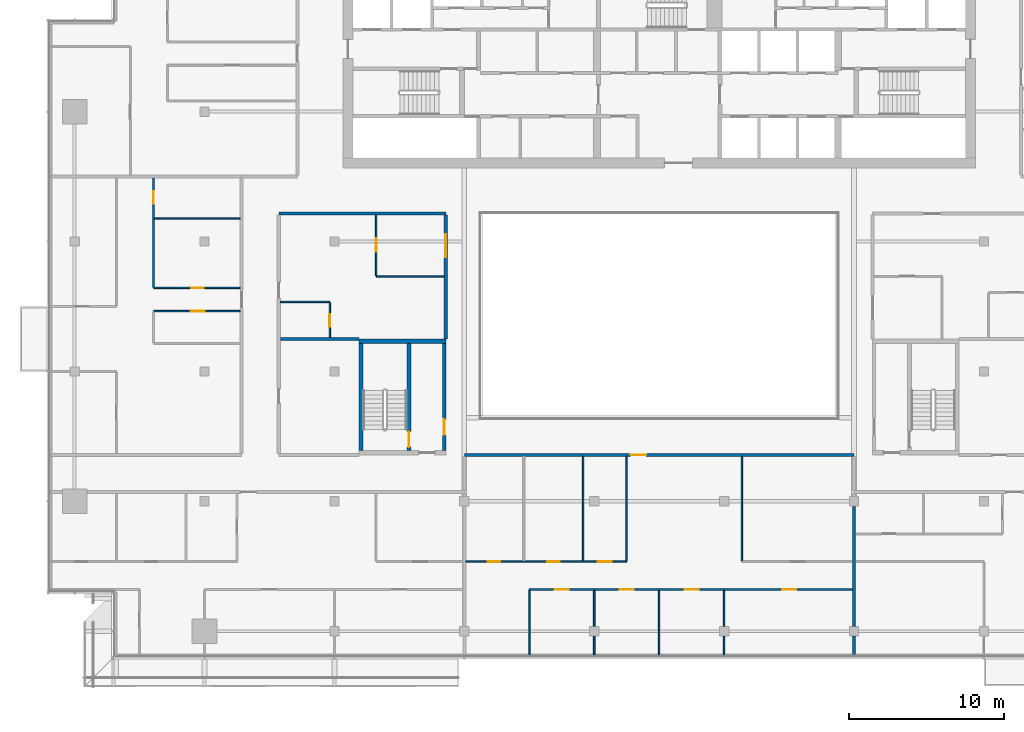
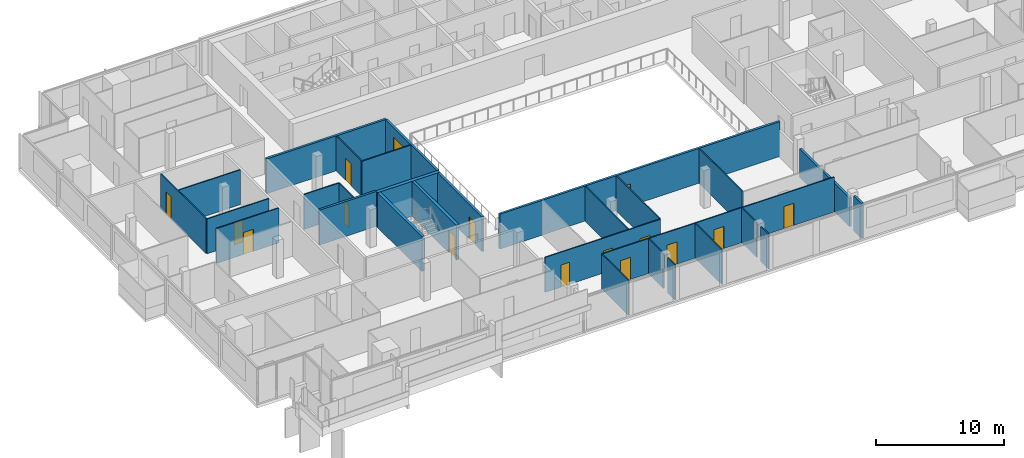
# One storey, part 18 of 29: 29 walls, 15 doors, 1 window, 16 openings.
"""IFC4 building model written with IfcOpenShell, lengths in metres."""

import ifcopenshell
import ifcopenshell.guid

model = None  # the IFC model being written
_history = None  # IfcOwnerHistory: only IFC2X3 demands one
_inside = {}  # id of a spatial element -> (the spatial element, [elements in it])
_under = {}  # id of a project, library or spatial element -> (it, [spatial elements below it])
_declared = {}  # id of a project -> (the project, [libraries it declares])
_typed = {}  # id of a type object -> (the type object, [elements of that type])
_made_of = {}  # id of a material, layer set ... -> (it, [elements and type objects made of it])


def new_model(schema):
    """Start an empty IFC model of exactly this schema.

    Asked for "IFC4X3", IfcOpenShell would pick the latest addendum, in which some entities
    have other attributes; the version numbers below select the first issue.
    IFC2X3 requires an IfcOwnerHistory on every rooted entity: one is made here for all.
    """
    global model, _history
    if schema == "IFC4X3":
        model = ifcopenshell.file(schema_version=(4, 3, 0, 0))
    else:
        model = ifcopenshell.file(schema=schema)
    _inside.clear()
    _under.clear()
    _declared.clear()
    _typed.clear()
    _made_of.clear()
    _history = None
    if model.schema == "IFC2X3":
        org = make("IfcOrganization", Name="unknown")
        user = make(
            "IfcPersonAndOrganization",
            ThePerson=make("IfcPerson", FamilyName="unknown"),
            TheOrganization=org,
        )
        app = make(
            "IfcApplication",
            ApplicationDeveloper=org,
            Version="unknown",
            ApplicationFullName="unknown",
            ApplicationIdentifier="unknown",
        )
        _history = make(
            "IfcOwnerHistory",
            OwningUser=user,
            OwningApplication=app,
            ChangeAction="ADDED",
            CreationDate=0,
        )
    return model


def make(cls, **values):
    """One entity of the class cls with the attributes given. An attribute that is None is left unset."""
    return model.create_entity(
        cls, **{name: value for name, value in values.items() if value is not None}
    )


def rooted(cls, **values):
    """An entity with a GlobalId (a new one), such as an element, a storey or a relation."""
    return make(cls, GlobalId=ifcopenshell.guid.new(), OwnerHistory=_history, **values)


def si_unit(unit_type, name, prefix=None):
    """IfcSIUnit, for example si_unit("LENGTHUNIT", "METRE", prefix="MILLI")."""
    return make("IfcSIUnit", UnitType=unit_type, Prefix=prefix, Name=name)


def assignment(units):
    """IfcUnitAssignment: the units of a project."""
    return None if units is None else make("IfcUnitAssignment", Units=units)


def point(xyz):
    """IfcCartesianPoint."""
    return None if xyz is None else make("IfcCartesianPoint", Coordinates=xyz)


def direction(xyz):
    """IfcDirection."""
    return None if xyz is None else make("IfcDirection", DirectionRatios=xyz)


def frame(location, z_axis=None, x_axis=None):
    """IfcAxis2Placement3D, a coordinate frame: its origin and axes. An axis left out is left unset."""
    return make(
        "IfcAxis2Placement3D",
        Location=point(location),
        Axis=direction(z_axis),
        RefDirection=direction(x_axis),
    )


def frame_2d(location, x_axis=None):
    """IfcAxis2Placement2D, a coordinate frame in the plane: its origin and x axis."""
    return make(
        "IfcAxis2Placement2D", Location=point(location), RefDirection=direction(x_axis)
    )


def origin():
    """The frame at (0, 0, 0) with its axes left unset."""
    return frame((0.0, 0.0, 0.0))


def place(relative_to, where):
    """IfcLocalPlacement: puts the frame where relative to a parent placement (None: the world)."""
    return make(
        "IfcLocalPlacement", PlacementRelTo=relative_to, RelativePlacement=where
    )


def context(
    kind, dimensions, precision=None, world=None, true_north=None, identifier=None
):
    """IfcGeometricRepresentationContext, for example the 3D "Model" context."""
    return make(
        "IfcGeometricRepresentationContext",
        ContextIdentifier=identifier,
        ContextType=kind,
        CoordinateSpaceDimension=dimensions,
        Precision=precision,
        WorldCoordinateSystem=world,
        TrueNorth=true_north,
    )


def subcontext(parent, identifier, kind, view, scale=None):
    """IfcGeometricRepresentationSubContext, for example "Body" below "Model"."""
    return make(
        "IfcGeometricRepresentationSubContext",
        ContextIdentifier=identifier,
        ContextType=kind,
        ParentContext=parent,
        TargetScale=scale,
        TargetView=view,
    )


def project(units=None, contexts=None):
    """IfcProject with its units and contexts."""
    return rooted(
        "IfcProject",
        Name="project",
        RepresentationContexts=contexts,
        UnitsInContext=assignment(units),
    )


def spatial(cls, under=None, at=None, **own):
    """A site, building, storey or space (cls), placed at a placement, below another one or the project."""
    s = rooted(cls, ObjectPlacement=at, **own)
    if under is not None:
        _under.setdefault(under.id(), (under, []))[1].append(s)
    return s


def profile(cls, at=None, kind="AREA", **sizes):
    """A parametric profile (cls). Its sizes go by their IFC names, for example OverallWidth=200.0."""
    return make(cls, ProfileType=kind, Position=at, **sizes)


def rectangle(**sizes):
    """IfcRectangleProfileDef."""
    return profile("IfcRectangleProfileDef", **sizes)


def extrude(swept, where, along, depth):
    """IfcExtrudedAreaSolid: the profile swept, set in the frame where, extruded along a direction by depth."""
    return make(
        "IfcExtrudedAreaSolid",
        SweptArea=swept,
        Position=where,
        ExtrudedDirection=direction(along),
        Depth=depth,
    )


def shape(context_of_items, identifier, shape_type, items):
    """IfcShapeRepresentation: the items that make up one representation, for example the "Body"."""
    return make(
        "IfcShapeRepresentation",
        ContextOfItems=context_of_items,
        RepresentationIdentifier=identifier,
        RepresentationType=shape_type,
        Items=items,
    )


def material(Name=None, Category=None):
    """IfcMaterial."""
    return make("IfcMaterial", Name=Name, Category=Category)


def layer(
    of_material, thickness, ventilated=None, Name=None, Category=None, Priority=None
):
    """IfcMaterialLayer: one layer of a wall or slab, of a material (None: an air gap)."""
    return make(
        "IfcMaterialLayer",
        Material=of_material,
        LayerThickness=thickness,
        IsVentilated=ventilated,
        Name=Name,
        Category=Category,
        Priority=Priority,
    )


def layer_set(layers, Name=None):
    """IfcMaterialLayerSet."""
    return make("IfcMaterialLayerSet", MaterialLayers=layers, LayerSetName=Name)


def made_of(thing, what):
    """Note that an element or type object is made of a material, layer set ...; save() writes the relation."""
    if what is not None:
        _made_of.setdefault(what.id(), (what, []))[1].append(thing)
    return thing


def type_object(cls, material=None, **own):
    """A type object (cls), such as IfcWallType, which elements share."""
    return made_of(rooted(cls, **own), material)


def element(
    cls,
    number,
    at=None,
    inside=None,
    cuts=None,
    type_object=None,
    material=None,
    context=None,
    identifier="Body",
    shape_type=None,
    held_by="IfcProductDefinitionShape",
    body=None,
    shapes=None,
    **own,
):
    """One element of the class cls, such as IfcWall. Its Tag is "e" and its number.

    at: its placement. inside: the storey or other place that contains it. cuts: it is an
    opening in that element (IfcRelVoidsElement). A single representation is given by context,
    identifier, shape_type and body (its items); several are given by shapes. held_by: the class
    of the entity that holds the representations. save() writes the other relations.
    """
    e = rooted(cls, Tag="e%d" % number, ObjectPlacement=at, **own)
    if body is not None:
        shapes = [shape(context, identifier, shape_type, body)]
    if shapes is not None:
        e.Representation = make(held_by, Representations=shapes)
    if inside is not None:
        _inside.setdefault(inside.id(), (inside, []))[1].append(e)
    if cuts is not None:
        rooted(
            "IfcRelVoidsElement", RelatingBuildingElement=cuts, RelatedOpeningElement=e
        )
    if type_object is not None:
        _typed.setdefault(type_object.id(), (type_object, []))[1].append(e)
    return made_of(e, material)


def fill(opening, filler):
    """IfcRelFillsElement: the door or window that sits in an opening."""
    return rooted(
        "IfcRelFillsElement",
        RelatingOpeningElement=opening,
        RelatedBuildingElement=filler,
    )


def aggregate(whole, parts):
    """IfcRelAggregates: a whole, such as a stair, and the parts it consists of."""
    return rooted("IfcRelAggregates", RelatingObject=whole, RelatedObjects=parts)


def save(model, path):
    """Write the relations noted so far, then the file.

    IfcRelAggregates (storeys below a building ...), IfcRelContainedInSpatialStructure (elements
    in a storey), IfcRelDefinesByType, IfcRelAssociatesMaterial and IfcRelDeclares: one each for
    every whole, place, type object, material and project.
    """
    for whole, parts in _under.values():
        aggregate(whole, parts)
    for where, things in _inside.values():
        rooted(
            "IfcRelContainedInSpatialStructure",
            RelatedElements=things,
            RelatingStructure=where,
        )
    for kind, things in _typed.values():
        rooted("IfcRelDefinesByType", RelatedObjects=things, RelatingType=kind)
    for what, things in _made_of.values():
        rooted("IfcRelAssociatesMaterial", RelatedObjects=things, RelatingMaterial=what)
    for by, libraries in _declared.values():
        rooted("IfcRelDeclares", RelatingContext=by, RelatedDefinitions=libraries)
    model.write(path)


model = new_model("IFC4")

# Units and contexts
model_context = context("Model", 3, precision=1e-05, world=origin(), true_north=direction((0.0, 1.0)))
body_context = subcontext(model_context, "Body", "Model", "MODEL_VIEW")
ifc_project = project(units=[si_unit("LENGTHUNIT", "METRE"), si_unit("AREAUNIT", "SQUARE_METRE"), si_unit("VOLUMEUNIT", "CUBIC_METRE"), si_unit("PLANEANGLEUNIT", "RADIAN"), si_unit("MASSUNIT", "GRAM", prefix="KILO")], contexts=[model_context])

# Site, building, storey
site_placement = place(None, origin())
site = spatial("IfcSite", under=ifc_project, at=site_placement, CompositionType="ELEMENT")
building_placement = place(site_placement, origin())
building = spatial("IfcBuilding", under=site, at=building_placement, Name="Saffron Gate Tower", CompositionType="ELEMENT")
storey_placement = place(building_placement, frame((0.0, 0.0, 227.10009765625)))
storey = spatial("IfcBuildingStorey", under=building, at=storey_placement, Name="L55", CompositionType="ELEMENT", Elevation=227.10009765625)

# Wall, opening, door
ifc_material_1 = material(Name="Gypsum board partition on steel studs", Category="steel")
ifc_layer_1 = layer(ifc_material_1, 0.199951171875)
ifc_layer_set_1 = layer_set([ifc_layer_1], Name="CW10 Core partition 200")
wall_type_1 = type_object("IfcWallType", Name="CW10 Core partition 200", PredefinedType="PARTITIONING", material=ifc_layer_set_1)
wall_1_placement = place(storey_placement, frame((73.699951171875, 43.5, 0.0), z_axis=(0.0, 0.0, 1.0), x_axis=(0.0, 1.0, 0.0)))
wall_1 = element("IfcWall", 1, at=wall_1_placement, inside=storey, type_object=wall_type_1, Name="Wall CW10-L55-D-4", PredefinedType="PARTITIONING", context=body_context, shape_type="SweptSolid", body=[
    extrude(rectangle(XDim=6.89990234375, YDim=0.199951171875, at=frame_2d((3.449951171875, 0.0))), origin(), (0.0, 0.0, 1.0), 3.31982421875),
])
opening_1_placement = place(wall_1_placement, frame((1.0, 0.0, 0.0)))
opening_1 = element("IfcOpeningElement", 2, at=opening_1_placement, cuts=wall_1, Name="Opening CR-19", PredefinedType="OPENING", context=body_context, shape_type="SweptSolid", body=[
    extrude(rectangle(XDim=1.0, YDim=2.10009765625, at=frame_2d((0.5, 1.050048828125))), frame((0.0, 0.10986328125, 0.0), z_axis=(0.0, -1.0, 0.0), x_axis=(1.0, 0.0, 0.0)), (0.0, 0.0, 1.0), 0.219970703125),
])
ifc_material_2 = material(Name="Steel fire door set", Category="steel")
door_type_1 = type_object("IfcDoorType", Name="CD4 Lobby door 1000x2100 EI 120", OperationType="NOTDEFINED", PredefinedType="DOOR", material=ifc_material_2)
door_1_placement = place(opening_1_placement, origin())
door_1 = element("IfcDoor", 3, at=door_1_placement, inside=storey, type_object=door_type_1, Name="DOOR CR-19", OperationType="SINGLE_SWING_RIGHT", OverallHeight=2.10009765625, OverallWidth=1.0, PredefinedType="DOOR", context=body_context, shape_type="SweptSolid", body=[
    extrude(rectangle(XDim=1.0, YDim=2.10009765625, at=frame_2d((0.5, 1.050048828125))), frame((0.0, 0.02490234375, 0.0), z_axis=(0.0, -1.0, 0.0), x_axis=(1.0, 0.0, 0.0)), (0.0, 0.0, 1.0), 0.050048828125),
])
fill(opening_1, door_1)

# Wall
ifc_material_3 = material(Name="Concrete C60", Category="concrete")
ifc_layer_2 = layer(ifc_material_3, 0.25)
ifc_layer_set_2 = layer_set([ifc_layer_2], Name="CW14 RC core wall 250 C60")
wall_type_2 = type_object("IfcWallType", Name="CW14 RC core wall 250 C60", PredefinedType="SOLIDWALL", material=ifc_layer_set_2)
wall_2_placement = place(storey_placement, frame((68.324951171875, 43.5, 0.0), z_axis=(0.0, 0.0, 1.0), x_axis=(0.0, 1.0, 0.0)))
element("IfcWall", 4, at=wall_2_placement, inside=storey, type_object=wall_type_2, Name="Wall CW14-L55-D-2", PredefinedType="SOLIDWALL", context=body_context, shape_type="SweptSolid", body=[
    extrude(rectangle(XDim=6.89990234375, YDim=0.25, at=frame_2d((3.449951171875, 0.0))), origin(), (0.0, 0.0, 1.0), 3.31982421875),
])

# Wall, opening, door
wall_3_placement = place(storey_placement, frame((71.425048828125, 43.5, 0.0), z_axis=(0.0, 0.0, 1.0), x_axis=(0.0, 1.0, 0.0)))
wall_3 = element("IfcWall", 5, at=wall_3_placement, inside=storey, type_object=wall_type_2, Name="Wall CW14-L55-D-3", PredefinedType="SOLIDWALL", context=body_context, shape_type="SweptSolid", body=[
    extrude(rectangle(XDim=6.89990234375, YDim=0.25, at=frame_2d((3.449951171875, 0.0))), origin(), (0.0, 0.0, 1.0), 3.31982421875),
])
opening_2_placement = place(wall_3_placement, frame((0.199951171875, 0.0, 0.0)))
opening_2 = element("IfcOpeningElement", 6, at=opening_2_placement, cuts=wall_3, Name="Opening CR-20", PredefinedType="OPENING", context=body_context, shape_type="SweptSolid", body=[
    extrude(rectangle(XDim=1.0, YDim=2.10009765625, at=frame_2d((0.5, 1.050048828125))), frame((0.0, 0.135009765625, 0.0), z_axis=(0.0, -1.0, 0.0), x_axis=(1.0, 0.0, 0.0)), (0.0, 0.0, 1.0), 0.27001953125),
])
door_type_2 = type_object("IfcDoorType", Name="CD5 Stair door 1000x2100 EI 120", OperationType="NOTDEFINED", PredefinedType="DOOR", material=ifc_material_2)
door_2_placement = place(opening_2_placement, origin())
door_2 = element("IfcDoor", 7, at=door_2_placement, inside=storey, type_object=door_type_2, Name="DOOR CR-20", OperationType="SINGLE_SWING_LEFT", OverallHeight=2.10009765625, OverallWidth=1.0, PredefinedType="DOOR", context=body_context, shape_type="SweptSolid", body=[
    extrude(rectangle(XDim=1.0, YDim=2.10009765625, at=frame_2d((0.5, 1.050048828125))), frame((0.0, 0.02490234375, 0.0), z_axis=(0.0, -1.0, 0.0), x_axis=(1.0, 0.0, 0.0)), (0.0, 0.0, 1.0), 0.050048828125),
])
fill(opening_2, door_2)

# Wall
ifc_layer_3 = layer(ifc_material_3, 0.300048828125)
ifc_layer_set_3 = layer_set([ifc_layer_3], Name="CW17 RC core wall 300 C60")
wall_type_3 = type_object("IfcWallType", Name="CW17 RC core wall 300 C60", PredefinedType="SOLIDWALL", material=ifc_layer_set_3)
wall_4_placement = place(storey_placement, frame((68.199951171875, 50.550048828125, 0.0), z_axis=(0.0, 0.0, 1.0), x_axis=(1.0, 0.0, 0.0)))
element("IfcWall", 8, at=wall_4_placement, inside=storey, type_object=wall_type_3, Name="Wall CW17-L55-D-5", PredefinedType="SOLIDWALL", context=body_context, shape_type="SweptSolid", body=[
    extrude(rectangle(XDim=5.60009765625, YDim=0.300048828125, at=frame_2d((2.800048828125, 0.0))), origin(), (0.0, 0.0, 1.0), 3.31982421875),
])

# Wall, openings, doors
ifc_material_4 = material(Name="Plasterboard on steel studs", Category="steel")
ifc_layer_4 = layer(ifc_material_4, 0.10009765625)
ifc_layer_set_4 = layer_set([ifc_layer_4], Name="PW1 Partition 100")
wall_type_4 = type_object("IfcWallType", Name="PW1 Partition 100", PredefinedType="PARTITIONING", material=ifc_layer_set_4)
wall_5_placement = place(storey_placement, frame((100.10009765625, 34.5, 0.0), z_axis=(0.0, 0.0, 1.0), x_axis=(-1.0, 0.0, 0.0)))
wall_5 = element("IfcWall", 9, at=wall_5_placement, inside=storey, type_object=wall_type_4, Name="Partition D3-3", PredefinedType="PARTITIONING", context=body_context, shape_type="SweptSolid", body=[
    extrude(rectangle(XDim=20.900146484375, YDim=0.10009765625, at=frame_2d((10.4501953125, 0.0))), origin(), (0.0, 0.0, 1.0), 3.31982421875),
])
opening_3_placement = place(wall_5_placement, frame((3.64990234375, 0.0, 0.0)))
opening_3 = element("IfcOpeningElement", 10, at=opening_3_placement, cuts=wall_5, Name="Opening D3-18", PredefinedType="OPENING", context=body_context, shape_type="SweptSolid", body=[
    extrude(rectangle(XDim=0.89990234375, YDim=2.10009765625, at=frame_2d((0.449951171875, 1.050048828125))), frame((0.0, 0.06005859375, 0.0), z_axis=(0.0, -1.0, 0.0), x_axis=(1.0, 0.0, 0.0)), (0.0, 0.0, 1.0), 0.1201171875),
])
opening_4_placement = place(wall_5_placement, frame((9.949951171875, 0.0, 0.0)))
opening_4 = element("IfcOpeningElement", 11, at=opening_4_placement, cuts=wall_5, Name="Opening D3-17", PredefinedType="OPENING", context=body_context, shape_type="SweptSolid", body=[
    extrude(rectangle(XDim=0.89990234375, YDim=2.10009765625, at=frame_2d((0.449951171875, 1.050048828125))), frame((0.0, 0.06005859375, 0.0), z_axis=(0.0, -1.0, 0.0), x_axis=(1.0, 0.0, 0.0)), (0.0, 0.0, 1.0), 0.1201171875),
])
opening_5_placement = place(wall_5_placement, frame((14.14990234375, 0.0, 0.0)))
opening_5 = element("IfcOpeningElement", 12, at=opening_5_placement, cuts=wall_5, Name="Opening D3-16", PredefinedType="OPENING", context=body_context, shape_type="SweptSolid", body=[
    extrude(rectangle(XDim=0.89990234375, YDim=2.10009765625, at=frame_2d((0.449951171875, 1.050048828125))), frame((0.0, 0.06005859375, 0.0), z_axis=(0.0, -1.0, 0.0), x_axis=(1.0, 0.0, 0.0)), (0.0, 0.0, 1.0), 0.1201171875),
])
opening_6_placement = place(wall_5_placement, frame((18.35009765625, 0.0, 0.0)))
opening_6 = element("IfcOpeningElement", 13, at=opening_6_placement, cuts=wall_5, Name="Opening D3-15", PredefinedType="OPENING", context=body_context, shape_type="SweptSolid", body=[
    extrude(rectangle(XDim=0.89990234375, YDim=2.10009765625, at=frame_2d((0.449951171875, 1.050048828125))), frame((0.0, 0.06005859375, 0.0), z_axis=(0.0, -1.0, 0.0), x_axis=(1.0, 0.0, 0.0)), (0.0, 0.0, 1.0), 0.1201171875),
])
ifc_material_5 = material(Name="Timber door set", Category="wood")
door_type_3 = type_object("IfcDoorType", Name="RD1 Room door 900x2100", OperationType="NOTDEFINED", PredefinedType="DOOR", material=ifc_material_5)
door_3_placement = place(opening_3_placement, origin())
door_3 = element("IfcDoor", 14, at=door_3_placement, inside=storey, type_object=door_type_3, Name="Door D3-18", OperationType="SINGLE_SWING_LEFT", OverallHeight=2.10009765625, OverallWidth=0.89990234375, PredefinedType="DOOR", context=body_context, shape_type="SweptSolid", body=[
    extrude(rectangle(XDim=0.89990234375, YDim=2.10009765625, at=frame_2d((0.449951171875, 1.050048828125))), frame((0.0, 0.02490234375, 0.0), z_axis=(0.0, -1.0, 0.0), x_axis=(1.0, 0.0, 0.0)), (0.0, 0.0, 1.0), 0.050048828125),
])
fill(opening_3, door_3)
door_4_placement = place(opening_4_placement, origin())
door_4 = element("IfcDoor", 15, at=door_4_placement, inside=storey, type_object=door_type_3, Name="Door D3-17", OperationType="SINGLE_SWING_LEFT", OverallHeight=2.10009765625, OverallWidth=0.89990234375, PredefinedType="DOOR", context=body_context, shape_type="SweptSolid", body=[
    extrude(rectangle(XDim=0.89990234375, YDim=2.10009765625, at=frame_2d((0.449951171875, 1.050048828125))), frame((0.0, 0.02490234375, 0.0), z_axis=(0.0, -1.0, 0.0), x_axis=(1.0, 0.0, 0.0)), (0.0, 0.0, 1.0), 0.050048828125),
])
fill(opening_4, door_4)
door_5_placement = place(opening_5_placement, origin())
door_5 = element("IfcDoor", 16, at=door_5_placement, inside=storey, type_object=door_type_3, Name="Door D3-16", OperationType="SINGLE_SWING_RIGHT", OverallHeight=2.10009765625, OverallWidth=0.89990234375, PredefinedType="DOOR", context=body_context, shape_type="SweptSolid", body=[
    extrude(rectangle(XDim=0.89990234375, YDim=2.10009765625, at=frame_2d((0.449951171875, 1.050048828125))), frame((0.0, 0.02490234375, 0.0), z_axis=(0.0, -1.0, 0.0), x_axis=(1.0, 0.0, 0.0)), (0.0, 0.0, 1.0), 0.050048828125),
])
fill(opening_5, door_5)
door_6_placement = place(opening_6_placement, origin())
door_6 = element("IfcDoor", 17, at=door_6_placement, inside=storey, type_object=door_type_3, Name="Door D3-15", OperationType="SINGLE_SWING_LEFT", OverallHeight=2.10009765625, OverallWidth=0.89990234375, PredefinedType="DOOR", context=body_context, shape_type="SweptSolid", body=[
    extrude(rectangle(XDim=0.89990234375, YDim=2.10009765625, at=frame_2d((0.449951171875, 1.050048828125))), frame((0.0, 0.02490234375, 0.0), z_axis=(0.0, -1.0, 0.0), x_axis=(1.0, 0.0, 0.0)), (0.0, 0.0, 1.0), 0.050048828125),
])
fill(opening_6, door_6)

# Wall, opening, door
wall_6_placement = place(storey_placement, frame((60.5, 52.5, 0.0), z_axis=(0.0, 0.0, 1.0), x_axis=(-1.0, 0.0, 0.0)))
wall_6 = element("IfcWall", 18, at=wall_6_placement, inside=storey, type_object=wall_type_4, Name="Partition D3-26", PredefinedType="PARTITIONING", context=body_context, shape_type="SweptSolid", body=[
    extrude(rectangle(XDim=5.60009765625, YDim=0.10009765625, at=frame_2d((2.800048828125, 0.0))), origin(), (0.0, 0.0, 1.0), 3.31982421875),
])
opening_7_placement = place(wall_6_placement, frame((2.300048828125, 0.0, 0.0)))
opening_7 = element("IfcOpeningElement", 19, at=opening_7_placement, cuts=wall_6, Name="Opening D3-27", PredefinedType="OPENING", context=body_context, shape_type="SweptSolid", body=[
    extrude(rectangle(XDim=0.89990234375, YDim=2.10009765625, at=frame_2d((0.449951171875, 1.050048828125))), frame((0.0, 0.06005859375, 0.0), z_axis=(0.0, -1.0, 0.0), x_axis=(1.0, 0.0, 0.0)), (0.0, 0.0, 1.0), 0.1201171875),
])
door_7_placement = place(opening_7_placement, origin())
door_7 = element("IfcDoor", 20, at=door_7_placement, inside=storey, type_object=door_type_3, Name="Door D3-27", OperationType="SINGLE_SWING_LEFT", OverallHeight=2.10009765625, OverallWidth=0.89990234375, PredefinedType="DOOR", context=body_context, shape_type="SweptSolid", body=[
    extrude(rectangle(XDim=0.89990234375, YDim=2.10009765625, at=frame_2d((0.449951171875, 1.050048828125))), frame((0.0, 0.02490234375, 0.0), z_axis=(0.0, -1.0, 0.0), x_axis=(1.0, 0.0, 0.0)), (0.0, 0.0, 1.0), 0.050048828125),
])
fill(opening_7, door_7)

# Wall
wall_7_placement = place(storey_placement, frame((63.10009765625, 53.10009765625, 0.0), z_axis=(0.0, 0.0, 1.0), x_axis=(1.0, 0.0, 0.0)))
element("IfcWall", 21, at=wall_7_placement, inside=storey, type_object=wall_type_4, Name="Partition D3-29", PredefinedType="PARTITIONING", context=body_context, shape_type="SweptSolid", body=[
    extrude(rectangle(XDim=3.199951171875, YDim=0.10009765625, at=frame_2d((1.60009765625, 0.0))), origin(), (0.0, 0.0, 1.0), 3.31982421875),
])

# Wall, opening, door
wall_8_placement = place(storey_placement, frame((54.89990234375, 54.0, 0.0), z_axis=(0.0, 0.0, 1.0), x_axis=(1.0, 0.0, 0.0)))
wall_8 = element("IfcWall", 22, at=wall_8_placement, inside=storey, type_object=wall_type_4, Name="Partition D3-31", PredefinedType="PARTITIONING", context=body_context, shape_type="SweptSolid", body=[
    extrude(rectangle(XDim=5.60009765625, YDim=0.10009765625, at=frame_2d((2.800048828125, 0.0))), origin(), (0.0, 0.0, 1.0), 3.31982421875),
])
opening_8_placement = place(wall_8_placement, frame((2.449951171875, 0.0, 0.0)))
opening_8 = element("IfcOpeningElement", 23, at=opening_8_placement, cuts=wall_8, Name="Opening D3-45", PredefinedType="OPENING", context=body_context, shape_type="SweptSolid", body=[
    extrude(rectangle(XDim=0.800048828125, YDim=2.10009765625, at=frame_2d((0.39990234375, 1.050048828125))), frame((0.0, 0.06005859375, 0.0), z_axis=(0.0, -1.0, 0.0), x_axis=(1.0, 0.0, 0.0)), (0.0, 0.0, 1.0), 0.1201171875),
])
door_type_4 = type_object("IfcDoorType", Name="RD2 Bathroom door 800x2100", OperationType="NOTDEFINED", PredefinedType="DOOR", material=ifc_material_5)
door_8_placement = place(opening_8_placement, origin())
door_8 = element("IfcDoor", 24, at=door_8_placement, inside=storey, type_object=door_type_4, Name="Door D3-45", OperationType="SINGLE_SWING_RIGHT", OverallHeight=2.10009765625, OverallWidth=0.800048828125, PredefinedType="DOOR", context=body_context, shape_type="SweptSolid", body=[
    extrude(rectangle(XDim=0.800048828125, YDim=2.10009765625, at=frame_2d((0.39990234375, 1.050048828125))), frame((0.0, 0.02490234375, 0.0), z_axis=(0.0, -1.0, 0.0), x_axis=(1.0, 0.0, 0.0)), (0.0, 0.0, 1.0), 0.050048828125),
])
fill(opening_8, door_8)

# Walls
wall_9_placement = place(storey_placement, frame((69.300048828125, 54.75, 0.0), z_axis=(0.0, 0.0, 1.0), x_axis=(1.0, 0.0, 0.0)))
element("IfcWall", 25, at=wall_9_placement, inside=storey, type_object=wall_type_4, Name="Partition D3-32", PredefinedType="PARTITIONING", context=body_context, shape_type="SweptSolid", body=[
    extrude(rectangle(XDim=4.39990234375, YDim=0.10009765625, at=frame_2d((2.199951171875, 0.0))), origin(), (0.0, 0.0, 1.0), 3.31982421875),
])
wall_10_placement = place(storey_placement, frame((54.949951171875, 58.5, 0.0), z_axis=(0.0, 0.0, 1.0), x_axis=(1.0, 0.0, 0.0)))
element("IfcWall", 26, at=wall_10_placement, inside=storey, type_object=wall_type_4, Name="Partition D3-35", PredefinedType="PARTITIONING", context=body_context, shape_type="SweptSolid", body=[
    extrude(rectangle(XDim=5.550048828125, YDim=0.10009765625, at=frame_2d((2.77490234375, 0.0))), origin(), (0.0, 0.0, 1.0), 3.31982421875),
])

# Wall, opening, door
wall_11_placement = place(storey_placement, frame((54.89990234375, 61.10009765625, 0.0), z_axis=(0.0, 0.0, 1.0), x_axis=(0.0, -1.0, 0.0)))
wall_11 = element("IfcWall", 27, at=wall_11_placement, inside=storey, type_object=wall_type_4, Name="Partition D3-61", PredefinedType="PARTITIONING", context=body_context, shape_type="SweptSolid", body=[
    extrude(rectangle(XDim=7.050048828125, YDim=0.10009765625, at=frame_2d((3.52490234375, 0.0))), origin(), (0.0, 0.0, 1.0), 3.31982421875),
])
opening_9_placement = place(wall_11_placement, frame((0.85009765625, 0.0, 0.0)))
opening_9 = element("IfcOpeningElement", 28, at=opening_9_placement, cuts=wall_11, Name="Opening D3-46", PredefinedType="OPENING", context=body_context, shape_type="SweptSolid", body=[
    extrude(rectangle(XDim=0.800048828125, YDim=2.10009765625, at=frame_2d((0.39990234375, 1.050048828125))), frame((0.0, 0.06005859375, 0.0), z_axis=(0.0, -1.0, 0.0), x_axis=(1.0, 0.0, 0.0)), (0.0, 0.0, 1.0), 0.1201171875),
])
door_9_placement = place(opening_9_placement, origin())
door_9 = element("IfcDoor", 29, at=door_9_placement, inside=storey, type_object=door_type_4, Name="Door D3-46", OperationType="SINGLE_SWING_LEFT", OverallHeight=2.10009765625, OverallWidth=0.800048828125, PredefinedType="DOOR", context=body_context, shape_type="SweptSolid", body=[
    extrude(rectangle(XDim=0.800048828125, YDim=2.10009765625, at=frame_2d((0.39990234375, 1.050048828125))), frame((0.0, 0.02490234375, 0.0), z_axis=(0.0, -1.0, 0.0), x_axis=(1.0, 0.0, 0.0)), (0.0, 0.0, 1.0), 0.050048828125),
])
fill(opening_9, door_9)

wall_12_placement = place(storey_placement, frame((66.300048828125, 50.800048828125, 0.0), z_axis=(0.0, 0.0, 1.0), x_axis=(0.0, 1.0, 0.0)))
wall_12 = element("IfcWall", 30, at=wall_12_placement, inside=storey, type_object=wall_type_4, Name="Partition D3-71", PredefinedType="PARTITIONING", context=body_context, shape_type="SweptSolid", body=[
    extrude(rectangle(XDim=2.25, YDim=0.10009765625, at=frame_2d((1.125, 0.0))), origin(), (0.0, 0.0, 1.0), 3.31982421875),
])
opening_10_placement = place(wall_12_placement, frame((0.699951171875, 0.0, 0.0)))
opening_10 = element("IfcOpeningElement", 31, at=opening_10_placement, cuts=wall_12, Name="Opening D3-52", PredefinedType="OPENING", context=body_context, shape_type="SweptSolid", body=[
    extrude(rectangle(XDim=0.800048828125, YDim=2.10009765625, at=frame_2d((0.39990234375, 1.050048828125))), frame((0.0, 0.06005859375, 0.0), z_axis=(0.0, -1.0, 0.0), x_axis=(1.0, 0.0, 0.0)), (0.0, 0.0, 1.0), 0.1201171875),
])
door_10_placement = place(opening_10_placement, origin())
door_10 = element("IfcDoor", 32, at=door_10_placement, inside=storey, type_object=door_type_4, Name="Door D3-52", OperationType="SINGLE_SWING_LEFT", OverallHeight=2.10009765625, OverallWidth=0.800048828125, PredefinedType="DOOR", context=body_context, shape_type="SweptSolid", body=[
    extrude(rectangle(XDim=0.800048828125, YDim=2.10009765625, at=frame_2d((0.39990234375, 1.050048828125))), frame((0.0, 0.02490234375, 0.0), z_axis=(0.0, -1.0, 0.0), x_axis=(1.0, 0.0, 0.0)), (0.0, 0.0, 1.0), 0.050048828125),
])
fill(opening_10, door_10)

wall_13_placement = place(storey_placement, frame((69.300048828125, 58.699951171875, 0.0), z_axis=(0.0, 0.0, 1.0), x_axis=(0.0, -1.0, 0.0)))
wall_13 = element("IfcWall", 33, at=wall_13_placement, inside=storey, type_object=wall_type_4, Name="Partition D3-75", PredefinedType="PARTITIONING", context=body_context, shape_type="SweptSolid", body=[
    extrude(rectangle(XDim=3.89990234375, YDim=0.10009765625, at=frame_2d((1.949951171875, 0.0))), origin(), (0.0, 0.0, 1.0), 3.31982421875),
])
opening_11_placement = place(wall_13_placement, frame((1.47509765625, 0.0, 0.0)))
opening_11 = element("IfcOpeningElement", 34, at=opening_11_placement, cuts=wall_13, Name="Opening D3-37", PredefinedType="OPENING", context=body_context, shape_type="SweptSolid", body=[
    extrude(rectangle(XDim=0.89990234375, YDim=2.10009765625, at=frame_2d((0.449951171875, 1.050048828125))), frame((0.0, 0.06005859375, 0.0), z_axis=(0.0, -1.0, 0.0), x_axis=(1.0, 0.0, 0.0)), (0.0, 0.0, 1.0), 0.1201171875),
])
door_11_placement = place(opening_11_placement, origin())
door_11 = element("IfcDoor", 35, at=door_11_placement, inside=storey, type_object=door_type_3, Name="Door D3-37", OperationType="SINGLE_SWING_LEFT", OverallHeight=2.10009765625, OverallWidth=0.89990234375, PredefinedType="DOOR", context=body_context, shape_type="SweptSolid", body=[
    extrude(rectangle(XDim=0.89990234375, YDim=2.10009765625, at=frame_2d((0.449951171875, 1.050048828125))), frame((0.0, 0.02490234375, 0.0), z_axis=(0.0, -1.0, 0.0), x_axis=(1.0, 0.0, 0.0)), (0.0, 0.0, 1.0), 0.050048828125),
])
fill(opening_11, door_11)

# Walls
wall_14_placement = place(storey_placement, frame((79.199951171875, 34.449951171875, 0.0), z_axis=(0.0, 0.0, 1.0), x_axis=(0.0, -1.0, 0.0)))
element("IfcWall", 36, at=wall_14_placement, inside=storey, type_object=wall_type_4, Name="Partition D3-82", PredefinedType="PARTITIONING", context=body_context, shape_type="SweptSolid", body=[
    extrude(rectangle(XDim=4.169921875, YDim=0.10009765625, at=frame_2d((2.0849609375, 0.0))), origin(), (0.0, 0.0, 1.0), 3.31982421875),
])
wall_15_placement = place(storey_placement, frame((82.68115234375, 43.10009765625, 0.0), z_axis=(0.0, 0.0, 1.0), x_axis=(0.0, -1.0, 0.0)))
element("IfcWall", 37, at=wall_15_placement, inside=storey, type_object=wall_type_4, Name="Partition D3-83", PredefinedType="PARTITIONING", context=body_context, shape_type="SweptSolid", body=[
    extrude(rectangle(XDim=6.75, YDim=0.10009765625, at=frame_2d((3.375, 0.0))), origin(), (0.0, 0.0, 1.0), 3.31982421875),
])
wall_16_placement = place(storey_placement, frame((83.39990234375, 31.47998046875, 0.0), z_axis=(0.0, 0.0, 1.0), x_axis=(0.0, -1.0, 0.0)))
element("IfcWall", 38, at=wall_16_placement, inside=storey, type_object=wall_type_4, Name="Partition D3-84", PredefinedType="PARTITIONING", context=body_context, shape_type="SweptSolid", body=[
    extrude(rectangle(XDim=1.199951171875, YDim=0.10009765625, at=frame_2d((0.60009765625, 0.0))), origin(), (0.0, 0.0, 1.0), 3.31982421875),
])
wall_17_placement = place(storey_placement, frame((83.39990234375, 34.449951171875, 0.0), z_axis=(0.0, 0.0, 1.0), x_axis=(0.0, -1.0, 0.0)))
element("IfcWall", 39, at=wall_17_placement, inside=storey, type_object=wall_type_4, Name="Partition D3-85", PredefinedType="PARTITIONING", context=body_context, shape_type="SweptSolid", body=[
    extrude(rectangle(XDim=2.329833984375, YDim=0.10009765625, at=frame_2d((1.1650390625, 0.0))), origin(), (0.0, 0.0, 1.0), 3.31982421875),
])
wall_18_placement = place(storey_placement, frame((85.5, 43.10009765625, 0.0), z_axis=(0.0, 0.0, 1.0), x_axis=(0.0, -1.0, 0.0)))
element("IfcWall", 40, at=wall_18_placement, inside=storey, type_object=wall_type_4, Name="Partition D3-86", PredefinedType="PARTITIONING", context=body_context, shape_type="SweptSolid", body=[
    extrude(rectangle(XDim=6.75, YDim=0.10009765625, at=frame_2d((3.375, 0.0))), origin(), (0.0, 0.0, 1.0), 3.31982421875),
])
wall_19_placement = place(storey_placement, frame((87.60009765625, 34.449951171875, 0.0), z_axis=(0.0, 0.0, 1.0), x_axis=(0.0, -1.0, 0.0)))
element("IfcWall", 41, at=wall_19_placement, inside=storey, type_object=wall_type_4, Name="Partition D3-87", PredefinedType="PARTITIONING", context=body_context, shape_type="SweptSolid", body=[
    extrude(rectangle(XDim=4.169921875, YDim=0.10009765625, at=frame_2d((2.0849609375, 0.0))), origin(), (0.0, 0.0, 1.0), 3.31982421875),
])
wall_20_placement = place(storey_placement, frame((91.800048828125, 31.47998046875, 0.0), z_axis=(0.0, 0.0, 1.0), x_axis=(0.0, -1.0, 0.0)))
element("IfcWall", 42, at=wall_20_placement, inside=storey, type_object=wall_type_4, Name="Partition D3-88", PredefinedType="PARTITIONING", context=body_context, shape_type="SweptSolid", body=[
    extrude(rectangle(XDim=1.199951171875, YDim=0.10009765625, at=frame_2d((0.60009765625, 0.0))), origin(), (0.0, 0.0, 1.0), 3.31982421875),
])
wall_21_placement = place(storey_placement, frame((91.800048828125, 34.449951171875, 0.0), z_axis=(0.0, 0.0, 1.0), x_axis=(0.0, -1.0, 0.0)))
element("IfcWall", 43, at=wall_21_placement, inside=storey, type_object=wall_type_4, Name="Partition D3-89", PredefinedType="PARTITIONING", context=body_context, shape_type="SweptSolid", body=[
    extrude(rectangle(XDim=2.329833984375, YDim=0.10009765625, at=frame_2d((1.1650390625, 0.0))), origin(), (0.0, 0.0, 1.0), 3.31982421875),
])
wall_22_placement = place(storey_placement, frame((92.94189453125, 43.10009765625, 0.0), z_axis=(0.0, 0.0, 1.0), x_axis=(0.0, -1.0, 0.0)))
element("IfcWall", 44, at=wall_22_placement, inside=storey, type_object=wall_type_4, Name="Partition D3-90", PredefinedType="PARTITIONING", context=body_context, shape_type="SweptSolid", body=[
    extrude(rectangle(XDim=6.75, YDim=0.10009765625, at=frame_2d((3.375, 0.0))), origin(), (0.0, 0.0, 1.0), 3.31982421875),
])

# Wall, openings, doors
wall_23_placement = place(storey_placement, frame((75.10009765625, 36.300048828125, 0.0), z_axis=(0.0, 0.0, 1.0), x_axis=(1.0, 0.0, 0.0)))
wall_23 = element("IfcWall", 45, at=wall_23_placement, inside=storey, type_object=wall_type_4, Name="Partition D3-115", PredefinedType="PARTITIONING", context=body_context, shape_type="SweptSolid", body=[
    extrude(rectangle(XDim=10.39990234375, YDim=0.10009765625, at=frame_2d((5.199951171875, 0.0))), origin(), (0.0, 0.0, 1.0), 3.31982421875),
])
opening_12_placement = place(wall_23_placement, frame((1.42041015625, 0.0, 0.0)))
opening_12 = element("IfcOpeningElement", 46, at=opening_12_placement, cuts=wall_23, Name="Opening D3-41", PredefinedType="OPENING", context=body_context, shape_type="SweptSolid", body=[
    extrude(rectangle(XDim=0.800048828125, YDim=2.10009765625, at=frame_2d((0.39990234375, 1.050048828125))), frame((0.0, 0.06005859375, 0.0), z_axis=(0.0, -1.0, 0.0), x_axis=(1.0, 0.0, 0.0)), (0.0, 0.0, 1.0), 0.1201171875),
])
opening_13_placement = place(wall_23_placement, frame((5.260986328125, 0.0, 0.0)))
opening_13 = element("IfcOpeningElement", 47, at=opening_13_placement, cuts=wall_23, Name="Opening D3-42", PredefinedType="OPENING", context=body_context, shape_type="SweptSolid", body=[
    extrude(rectangle(XDim=0.800048828125, YDim=2.10009765625, at=frame_2d((0.39990234375, 1.050048828125))), frame((0.0, 0.06005859375, 0.0), z_axis=(0.0, -1.0, 0.0), x_axis=(1.0, 0.0, 0.0)), (0.0, 0.0, 1.0), 0.1201171875),
])
opening_14_placement = place(wall_23_placement, frame((8.54052734375, 0.0, 0.0)))
opening_14 = element("IfcOpeningElement", 48, at=opening_14_placement, cuts=wall_23, Name="Opening D3-20", PredefinedType="OPENING", context=body_context, shape_type="SweptSolid", body=[
    extrude(rectangle(XDim=0.89990234375, YDim=2.10009765625, at=frame_2d((0.449951171875, 1.050048828125))), frame((0.0, 0.06005859375, 0.0), z_axis=(0.0, -1.0, 0.0), x_axis=(1.0, 0.0, 0.0)), (0.0, 0.0, 1.0), 0.1201171875),
])
door_12_placement = place(opening_14_placement, origin())
door_12 = element("IfcDoor", 49, at=door_12_placement, inside=storey, type_object=door_type_3, Name="Door D3-20", OperationType="SINGLE_SWING_LEFT", OverallHeight=2.10009765625, OverallWidth=0.89990234375, PredefinedType="DOOR", context=body_context, shape_type="SweptSolid", body=[
    extrude(rectangle(XDim=0.89990234375, YDim=2.10009765625, at=frame_2d((0.449951171875, 1.050048828125))), frame((0.0, 0.02490234375, 0.0), z_axis=(0.0, -1.0, 0.0), x_axis=(1.0, 0.0, 0.0)), (0.0, 0.0, 1.0), 0.050048828125),
])
fill(opening_14, door_12)
door_13_placement = place(opening_12_placement, origin())
door_13 = element("IfcDoor", 50, at=door_13_placement, inside=storey, type_object=door_type_4, Name="Door D3-41", OperationType="SINGLE_SWING_LEFT", OverallHeight=2.10009765625, OverallWidth=0.800048828125, PredefinedType="DOOR", context=body_context, shape_type="SweptSolid", body=[
    extrude(rectangle(XDim=0.800048828125, YDim=2.10009765625, at=frame_2d((0.39990234375, 1.050048828125))), frame((0.0, 0.02490234375, 0.0), z_axis=(0.0, -1.0, 0.0), x_axis=(1.0, 0.0, 0.0)), (0.0, 0.0, 1.0), 0.050048828125),
])
fill(opening_12, door_13)
door_14_placement = place(opening_13_placement, origin())
door_14 = element("IfcDoor", 51, at=door_14_placement, inside=storey, type_object=door_type_4, Name="Door D3-42", OperationType="SINGLE_SWING_LEFT", OverallHeight=2.10009765625, OverallWidth=0.800048828125, PredefinedType="DOOR", context=body_context, shape_type="SweptSolid", body=[
    extrude(rectangle(XDim=0.800048828125, YDim=2.10009765625, at=frame_2d((0.39990234375, 1.050048828125))), frame((0.0, 0.02490234375, 0.0), z_axis=(0.0, -1.0, 0.0), x_axis=(1.0, 0.0, 0.0)), (0.0, 0.0, 1.0), 0.050048828125),
])
fill(opening_13, door_14)

# Walls
ifc_material_6 = material(Name="Clay brick masonry, rendered", Category="masonry")
ifc_layer_5 = layer(ifc_material_6, 0.199951171875)
ifc_layer_set_5 = layer_set([ifc_layer_5], Name="PW2 Demising wall 200")
wall_type_5 = type_object("IfcWallType", Name="PW2 Demising wall 200", PredefinedType="PARTITIONING", material=ifc_layer_set_5)
wall_24_placement = place(storey_placement, frame((63.10009765625, 50.699951171875, 0.0), z_axis=(0.0, 0.0, 1.0), x_axis=(1.0, 0.0, 0.0)))
element("IfcWall", 52, at=wall_24_placement, inside=storey, type_object=wall_type_5, Name="Wall D3-24", PredefinedType="PARTITIONING", context=body_context, shape_type="SweptSolid", body=[
    extrude(rectangle(XDim=5.099853515625, YDim=0.199951171875, at=frame_2d((2.5498046875, 0.0))), origin(), (0.0, 0.0, 1.0), 3.31982421875),
])
wall_25_placement = place(storey_placement, frame((100.199951171875, 31.47998046875, 0.0), z_axis=(0.0, 0.0, 1.0), x_axis=(0.0, -1.0, 0.0)))
element("IfcWall", 53, at=wall_25_placement, inside=storey, type_object=wall_type_5, Name="Wall D3-92", PredefinedType="PARTITIONING", context=body_context, shape_type="SweptSolid", body=[
    extrude(rectangle(XDim=1.199951171875, YDim=0.199951171875, at=frame_2d((0.60009765625, 0.0))), origin(), (0.0, 0.0, 1.0), 3.31982421875),
])
wall_26_placement = place(storey_placement, frame((100.199951171875, 39.8798828125, 0.0), z_axis=(0.0, 0.0, 1.0), x_axis=(0.0, -1.0, 0.0)))
element("IfcWall", 54, at=wall_26_placement, inside=storey, type_object=wall_type_5, Name="Wall D3-93", PredefinedType="PARTITIONING", context=body_context, shape_type="SweptSolid", body=[
    extrude(rectangle(XDim=7.759765625, YDim=0.199951171875, at=frame_2d((3.8798828125, 0.0))), origin(), (0.0, 0.0, 1.0), 2.719970703125),
])

# Wall, opening, door
ifc_layer_6 = layer(ifc_material_6, 0.199951171875)
ifc_layer_set_6 = layer_set([ifc_layer_6], Name="PW3 Corridor wall 200")
wall_type_6 = type_object("IfcWallType", Name="PW3 Corridor wall 200", PredefinedType="PARTITIONING", material=ifc_layer_set_6)
wall_27_placement = place(storey_placement, frame((100.199951171875, 43.199951171875, 0.0), z_axis=(0.0, 0.0, 1.0), x_axis=(-1.0, 0.0, 0.0)))
wall_27 = element("IfcWall", 55, at=wall_27_placement, inside=storey, type_object=wall_type_6, Name="Wall D3-14", PredefinedType="PARTITIONING", context=body_context, shape_type="SweptSolid", body=[
    extrude(rectangle(XDim=25.199951171875, YDim=0.199951171875, at=frame_2d((12.60009765625, 0.0))), origin(), (0.0, 0.0, 1.0), 3.31982421875),
])
opening_15_placement = place(wall_27_placement, frame((13.449951171875, 0.0, 0.0)))
opening_15 = element("IfcOpeningElement", 56, at=opening_15_placement, cuts=wall_27, Name="Opening D3-2", PredefinedType="OPENING", context=body_context, shape_type="SweptSolid", body=[
    extrude(rectangle(XDim=1.0, YDim=2.10009765625, at=frame_2d((0.5, 1.050048828125))), frame((0.0, 0.10986328125, 0.0), z_axis=(0.0, -1.0, 0.0), x_axis=(1.0, 0.0, 0.0)), (0.0, 0.0, 1.0), 0.219970703125),
])
ifc_material_7 = material(Name="Timber fire door set", Category="wood")
door_type_5 = type_object("IfcDoorType", Name="FD1 Flat entry door 1000x2100", OperationType="NOTDEFINED", PredefinedType="DOOR", material=ifc_material_7)
door_15_placement = place(opening_15_placement, origin())
door_15 = element("IfcDoor", 57, at=door_15_placement, inside=storey, type_object=door_type_5, Name="Door D3-2", OperationType="SINGLE_SWING_RIGHT", OverallHeight=2.10009765625, OverallWidth=1.0, PredefinedType="DOOR", context=body_context, shape_type="SweptSolid", body=[
    extrude(rectangle(XDim=1.0, YDim=2.10009765625, at=frame_2d((0.5, 1.050048828125))), frame((0.0, 0.02490234375, 0.0), z_axis=(0.0, -1.0, 0.0), x_axis=(1.0, 0.0, 0.0)), (0.0, 0.0, 1.0), 0.050048828125),
])
fill(opening_15, door_15)

# Wall
wall_28_placement = place(storey_placement, frame((63.0, 58.800048828125, 0.0), z_axis=(0.0, 0.0, 1.0), x_axis=(1.0, 0.0, 0.0)))
element("IfcWall", 58, at=wall_28_placement, inside=storey, type_object=wall_type_6, Name="Wall D3-36", PredefinedType="PARTITIONING", context=body_context, shape_type="SweptSolid", body=[
    extrude(rectangle(XDim=10.800048828125, YDim=0.199951171875, at=frame_2d((5.39990234375, 0.0))), origin(), (0.0, 0.0, 1.0), 3.31982421875),
])

# Wall, opening, window
wall_29_placement = place(storey_placement, frame((73.800048828125, 58.699951171875, 0.0), z_axis=(0.0, 0.0, 1.0), x_axis=(0.0, -1.0, 0.0)))
wall_29 = element("IfcWall", 59, at=wall_29_placement, inside=storey, type_object=wall_type_6, Name="Wall D3-76", PredefinedType="PARTITIONING", context=body_context, shape_type="SweptSolid", body=[
    extrude(rectangle(XDim=8.0, YDim=0.199951171875, at=frame_2d((4.0, 0.0))), origin(), (0.0, 0.0, 1.0), 3.31982421875),
])
opening_16_placement = place(wall_29_placement, frame((1.22509765625, 0.0, 0.89990234375)))
opening_16 = element("IfcOpeningElement", 60, at=opening_16_placement, cuts=wall_29, Name="Opening GW1", PredefinedType="OPENING", context=body_context, shape_type="SweptSolid", body=[
    extrude(rectangle(XDim=1.5, YDim=1.5, at=frame_2d((0.75, 0.75))), frame((0.0, 0.10986328125, 0.0), z_axis=(0.0, -1.0, 0.0), x_axis=(1.0, 0.0, 0.0)), (0.0, 0.0, 1.0), 0.219970703125),
])
ifc_material_8 = material(Name="Fire-resisting laminated glass in steel frame", Category="steel")
ifc_layer_7 = layer(ifc_material_8, 0.06005859375)
ifc_layer_set_7 = layer_set([ifc_layer_7], Name="GW1 Gallery window 1500x1500")
window_type = type_object("IfcWindowType", Name="GW1 Gallery window 1500x1500", PartitioningType="SINGLE_PANEL", PredefinedType="WINDOW", material=ifc_layer_set_7)
window_placement = place(opening_16_placement, origin())
window = element("IfcWindow", 61, at=window_placement, inside=storey, type_object=window_type, Name="GW1 window D3-H-B1", OverallHeight=1.5, OverallWidth=1.5, PartitioningType="SINGLE_PANEL", PredefinedType="WINDOW", context=body_context, shape_type="SweptSolid", body=[
    extrude(rectangle(XDim=1.5, YDim=1.5, at=frame_2d((0.75, 0.75))), frame((0.0, 0.030029296875, 0.0), z_axis=(0.0, -1.0, 0.0), x_axis=(1.0, 0.0, 0.0)), (0.0, 0.0, 1.0), 0.06005859375),
])
fill(opening_16, window)

save(model, "model.ifc")
